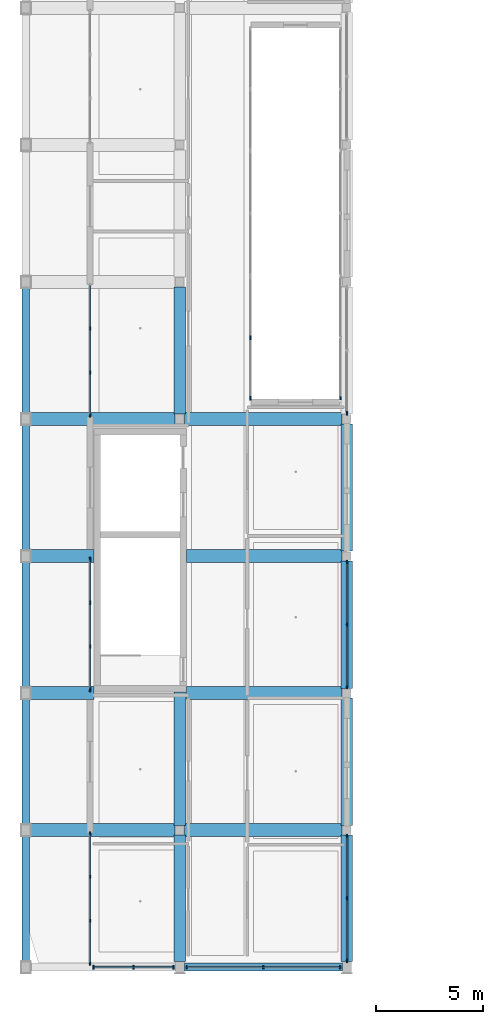
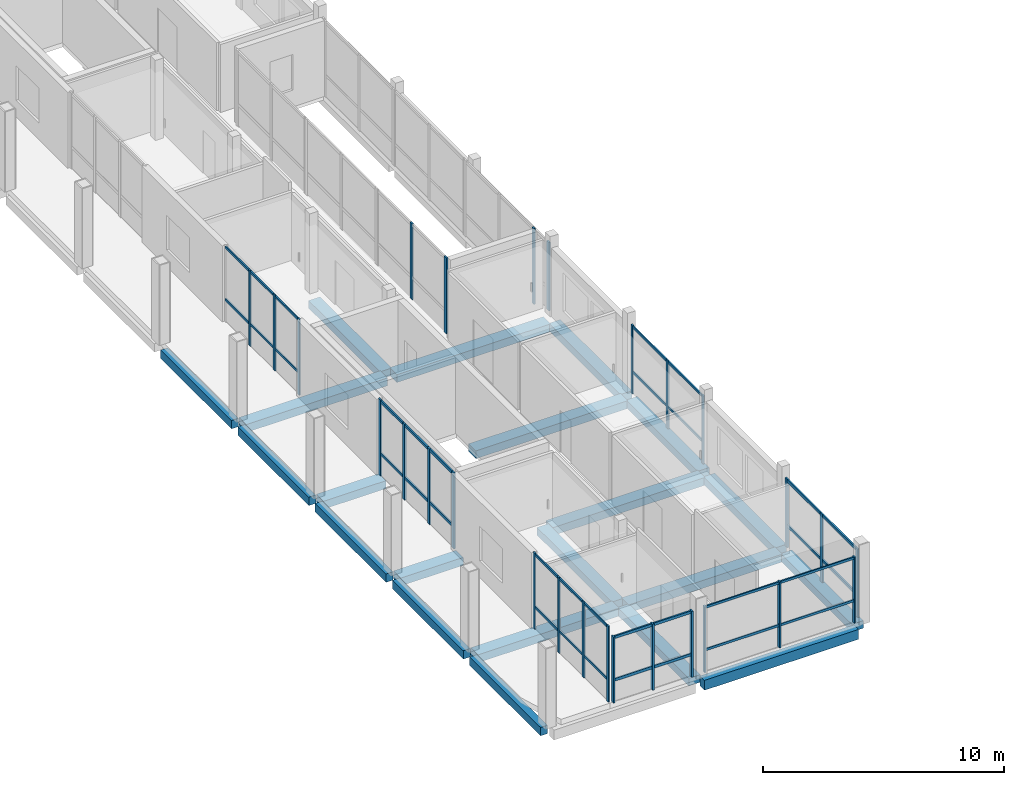
# One storey, part 2 of 24: 41 members, 21 beams, 10 elements without a shape of their own.
"""IFC4 building model written with IfcOpenShell, lengths in metres."""

from ifc_helpers import new_model, si_unit, derived_unit, direction, frame, origin, origin_2d, place, context, subcontext, project, spatial, rectangle, extrude, material, material_profile, profile_set, type_object, element, aggregate, save


model = new_model("IFC4")

# Units and contexts
model_context = context("Model", 3, precision=1e-05, world=origin(), true_north=direction((0.0, 1.0)))
body_context = subcontext(model_context, "Body", "Model", "MODEL_VIEW")
ifc_project = project(units=[si_unit("LENGTHUNIT", "METRE"), si_unit("AREAUNIT", "SQUARE_METRE"), si_unit("VOLUMEUNIT", "CUBIC_METRE"), si_unit("PLANEANGLEUNIT", "RADIAN"), si_unit("MASSUNIT", "GRAM", prefix="KILO"), derived_unit("THERMALTRANSMITTANCEUNIT", [(si_unit("POWERUNIT", "WATT"), 1), (si_unit("LENGTHUNIT", "METRE"), -2), (si_unit("THERMODYNAMICTEMPERATUREUNIT", "KELVIN"), -1)])], contexts=[model_context])

# Site, building, storey
site_placement = place(None, origin())
site = spatial("IfcSite", under=ifc_project, at=site_placement, CompositionType="ELEMENT")
building_placement = place(site_placement, origin())
building = spatial("IfcBuilding", under=site, at=building_placement, Name="Braskholm Square Health Centre", CompositionType="ELEMENT")
storey_placement = place(building_placement, frame((0.0, 0.0, 21.60009765625)))
storey = spatial("IfcBuildingStorey", under=building, at=storey_placement, Name="L06", CompositionType="ELEMENT", Elevation=21.60009765625)

# Curtain wall, members
ifc_material_1 = material(Name="Low-E triple insulating glass (VLT 0.64)", Category="glass")
curtain_wall_type_1 = type_object("IfcCurtainWallType", Name="UnitisedCurtainWall6200x3800", PredefinedType="NOTDEFINED", material=ifc_material_1)
curtain_wall_1_placement = place(storey_placement, origin())
curtain_wall_1 = element("IfcCurtainWall", 1, at=curtain_wall_1_placement, inside=storey, type_object=curtain_wall_type_1, Name="West Crown unitised curtain wall CW-L06-0038", PredefinedType="NOTDEFINED")
ifc_material_2 = material(Name="Architectural bronze anodised aluminium", Category="aluminium")
ifc_material_profile_1 = material_profile(ifc_material_2, rectangle(XDim=0.06494140625, YDim=0.14990234375, at=origin_2d()), Name="ALU-65X150")
ifc_profile_set_1 = profile_set([ifc_material_profile_1], Name="Architectural bronze anodised aluminium")
member_type_1 = type_object("IfcMemberType", Name="CurtainWallMullion65x150", PredefinedType="MULLION", material=ifc_profile_set_1)
member_1_placement = place(storey_placement, frame((7.199951171875, 10.443115234375, 0.0), z_axis=(0.0, 0.0, 1.0), x_axis=(1.0, 0.0, 0.0)))
member_1 = element("IfcMember", 2, at=member_1_placement, type_object=member_type_1, Name="CW-L06-0038 vertical mullion 1", PredefinedType="MULLION", context=body_context, shape_type="SweptSolid", body=[
    extrude(rectangle(XDim=0.06494140625, YDim=0.14990234375, at=origin_2d()), origin(), (0.0, 0.0, 1.0), 3.83984375),
])
member_2_placement = place(storey_placement, frame((7.199951171875, 8.4267578125, 0.0), z_axis=(0.0, 0.0, 1.0), x_axis=(1.0, 0.0, 0.0)))
member_2 = element("IfcMember", 3, at=member_2_placement, type_object=member_type_1, Name="CW-L06-0038 vertical mullion 2", PredefinedType="MULLION", context=body_context, shape_type="SweptSolid", body=[
    extrude(rectangle(XDim=0.06494140625, YDim=0.14990234375, at=origin_2d()), origin(), (0.0, 0.0, 1.0), 3.83984375),
])
member_3_placement = place(storey_placement, frame((7.199951171875, 6.373291015625, 0.0), z_axis=(0.0, 0.0, 1.0), x_axis=(1.0, 0.0, 0.0)))
member_3 = element("IfcMember", 4, at=member_3_placement, type_object=member_type_1, Name="CW-L06-0038 vertical mullion 3", PredefinedType="MULLION", context=body_context, shape_type="SweptSolid", body=[
    extrude(rectangle(XDim=0.06494140625, YDim=0.14990234375, at=origin_2d()), origin(), (0.0, 0.0, 1.0), 3.83984375),
])
member_4_placement = place(storey_placement, frame((7.199951171875, 4.35693359375, 0.0), z_axis=(0.0, 0.0, 1.0), x_axis=(1.0, 0.0, 0.0)))
member_4 = element("IfcMember", 5, at=member_4_placement, type_object=member_type_1, Name="CW-L06-0038 vertical mullion 4", PredefinedType="MULLION", context=body_context, shape_type="SweptSolid", body=[
    extrude(rectangle(XDim=0.06494140625, YDim=0.14990234375, at=origin_2d()), origin(), (0.0, 0.0, 1.0), 3.83984375),
])

curtain_wall_2_placement = place(storey_placement, origin())
curtain_wall_2 = element("IfcCurtainWall", 6, at=curtain_wall_2_placement, inside=storey, type_object=curtain_wall_type_1, Name="West Crown unitised curtain wall CW-L06-0040", PredefinedType="NOTDEFINED")
member_5_placement = place(storey_placement, frame((7.199951171875, 34.026611328125, 0.0), z_axis=(0.0, 0.0, 1.0), x_axis=(1.0, 0.0, 0.0)))
member_5 = element("IfcMember", 7, at=member_5_placement, type_object=member_type_1, Name="CW-L06-0040 vertical mullion 2", PredefinedType="MULLION", context=body_context, shape_type="SweptSolid", body=[
    extrude(rectangle(XDim=0.06494140625, YDim=0.14990234375, at=origin_2d()), origin(), (0.0, 0.0, 1.0), 3.83984375),
])
member_6_placement = place(storey_placement, frame((7.199951171875, 31.973388671875, 0.0), z_axis=(0.0, 0.0, 1.0), x_axis=(1.0, 0.0, 0.0)))
member_6 = element("IfcMember", 8, at=member_6_placement, type_object=member_type_1, Name="CW-L06-0040 vertical mullion 3", PredefinedType="MULLION", context=body_context, shape_type="SweptSolid", body=[
    extrude(rectangle(XDim=0.06494140625, YDim=0.14990234375, at=origin_2d()), origin(), (0.0, 0.0, 1.0), 3.83984375),
])
member_7_placement = place(storey_placement, frame((7.199951171875, 29.95703125, 0.0), z_axis=(0.0, 0.0, 1.0), x_axis=(1.0, 0.0, 0.0)))
member_7 = element("IfcMember", 9, at=member_7_placement, type_object=member_type_1, Name="CW-L06-0040 vertical mullion 4", PredefinedType="MULLION", context=body_context, shape_type="SweptSolid", body=[
    extrude(rectangle(XDim=0.06494140625, YDim=0.14990234375, at=origin_2d()), origin(), (0.0, 0.0, 1.0), 3.83984375),
])

curtain_wall_type_2 = type_object("IfcCurtainWallType", Name="UnitisedCurtainWall6200x3650", PredefinedType="NOTDEFINED", material=ifc_material_1)
curtain_wall_3_placement = place(storey_placement, origin())
curtain_wall_3 = element("IfcCurtainWall", 10, at=curtain_wall_3_placement, inside=storey, type_object=curtain_wall_type_2, Name="West Valley unitised curtain wall CW-L06-0110", PredefinedType="NOTDEFINED")
member_8_placement = place(storey_placement, frame((19.199951171875, 17.275390625, 0.0), z_axis=(0.0, 0.0, 1.0), x_axis=(1.0, 0.0, 0.0)))
member_8 = element("IfcMember", 11, at=member_8_placement, type_object=member_type_1, Name="CW-L06-0110 vertical mullion 1", PredefinedType="MULLION", context=body_context, shape_type="SweptSolid", body=[
    extrude(rectangle(XDim=0.06494140625, YDim=0.14990234375, at=origin_2d()), origin(), (0.0, 0.0, 1.0), 3.4599609375),
])
member_9_placement = place(storey_placement, frame((19.199951171875, 20.199951171875, 0.0), z_axis=(0.0, 0.0, 1.0), x_axis=(1.0, 0.0, 0.0)))
member_9 = element("IfcMember", 12, at=member_9_placement, type_object=member_type_1, Name="CW-L06-0110 vertical mullion 2", PredefinedType="MULLION", context=body_context, shape_type="SweptSolid", body=[
    extrude(rectangle(XDim=0.06494140625, YDim=0.14990234375, at=origin_2d()), origin(), (0.0, 0.0, 1.0), 3.4599609375),
])
member_10_placement = place(storey_placement, frame((19.199951171875, 23.12451171875, 0.0), z_axis=(0.0, 0.0, 1.0), x_axis=(1.0, 0.0, 0.0)))
member_10 = element("IfcMember", 13, at=member_10_placement, type_object=member_type_1, Name="CW-L06-0110 vertical mullion 3", PredefinedType="MULLION", context=body_context, shape_type="SweptSolid", body=[
    extrude(rectangle(XDim=0.06494140625, YDim=0.14990234375, at=origin_2d()), origin(), (0.0, 0.0, 1.0), 3.4599609375),
])

curtain_wall_4_placement = place(storey_placement, origin())
curtain_wall_4 = element("IfcCurtainWall", 14, at=curtain_wall_4_placement, inside=storey, type_object=curtain_wall_type_2, Name="Wing End unitised curtain wall CW-L06-0152", PredefinedType="NOTDEFINED")
member_11_placement = place(storey_placement, frame((11.723388671875, 4.199951171875, 0.0), z_axis=(0.0, 0.0, 1.0), x_axis=(1.0, 0.0, 0.0)))
member_11 = element("IfcMember", 15, at=member_11_placement, type_object=member_type_1, Name="CW-L06-0152 vertical mullion 1", PredefinedType="MULLION", context=body_context, shape_type="SweptSolid", body=[
    extrude(rectangle(XDim=0.06494140625, YDim=0.14990234375, at=origin_2d()), origin(), (0.0, 0.0, 1.0), 3.33984375),
])
member_12_placement = place(storey_placement, frame((15.300048828125, 4.199951171875, 0.0), z_axis=(0.0, 0.0, 1.0), x_axis=(1.0, 0.0, 0.0)))
member_12 = element("IfcMember", 16, at=member_12_placement, type_object=member_type_1, Name="CW-L06-0152 vertical mullion 2", PredefinedType="MULLION", context=body_context, shape_type="SweptSolid", body=[
    extrude(rectangle(XDim=0.06494140625, YDim=0.14990234375, at=origin_2d()), origin(), (0.0, 0.0, 1.0), 3.33984375),
])
member_13_placement = place(storey_placement, frame((18.876708984375, 4.199951171875, 0.0), z_axis=(0.0, 0.0, 1.0), x_axis=(1.0, 0.0, 0.0)))
member_13 = element("IfcMember", 17, at=member_13_placement, type_object=member_type_1, Name="CW-L06-0152 vertical mullion 3", PredefinedType="MULLION", context=body_context, shape_type="SweptSolid", body=[
    extrude(rectangle(XDim=0.06494140625, YDim=0.14990234375, at=origin_2d()), origin(), (0.0, 0.0, 1.0), 3.33984375),
])

# Curtain wall, member
curtain_wall_type_3 = type_object("IfcCurtainWallType", Name="UnitisedCurtainWall5400x3800", PredefinedType="NOTDEFINED", material=ifc_material_1)
curtain_wall_5_placement = place(storey_placement, origin())
curtain_wall_5 = element("IfcCurtainWall", 18, at=curtain_wall_5_placement, inside=storey, type_object=curtain_wall_type_3, Name="WC1 Court E unitised curtain wall CW-L06-0280", PredefinedType="NOTDEFINED")
member_14_placement = place(storey_placement, frame((18.89990234375, 30.7744140625, 0.0), z_axis=(0.0, 0.0, 1.0), x_axis=(1.0, 0.0, 0.0)))
member_14 = element("IfcMember", 19, at=member_14_placement, type_object=member_type_1, Name="CW-L06-0280 vertical mullion 3", PredefinedType="MULLION", context=body_context, shape_type="SweptSolid", body=[
    extrude(rectangle(XDim=0.06494140625, YDim=0.14990234375, at=origin_2d()), origin(), (0.0, 0.0, 1.0), 3.83984375),
])
aggregate(curtain_wall_5, [member_14])

# Curtain wall, members
curtain_wall_6_placement = place(storey_placement, origin())
curtain_wall_6 = element("IfcCurtainWall", 20, at=curtain_wall_6_placement, inside=storey, type_object=curtain_wall_type_1, Name="West Crown unitised curtain wall CW-L06-0039", PredefinedType="NOTDEFINED")
ifc_material_profile_2 = material_profile(ifc_material_2, rectangle(XDim=0.074951171875, YDim=0.179931640625, at=origin_2d()), Name="ALU-75X180")
ifc_profile_set_2 = profile_set([ifc_material_profile_2], Name="Architectural bronze anodised aluminium")
member_type_2 = type_object("IfcMemberType", Name="CurtainWallMullion75x180", PredefinedType="MULLION", material=ifc_profile_set_2)
member_15_placement = place(storey_placement, frame((7.199951171875, 23.242919921875, 0.0), z_axis=(0.0, 0.0, 1.0), x_axis=(1.0, 0.0, 0.0)))
member_15 = element("IfcMember", 21, at=member_15_placement, type_object=member_type_2, Name="CW-L06-0039 vertical mullion 1", PredefinedType="MULLION", context=body_context, shape_type="SweptSolid", body=[
    extrude(rectangle(XDim=0.074951171875, YDim=0.179931640625, at=origin_2d()), origin(), (0.0, 0.0, 1.0), 3.83984375),
])
member_16_placement = place(storey_placement, frame((7.199951171875, 21.226806640625, 0.0), z_axis=(0.0, 0.0, 1.0), x_axis=(1.0, 0.0, 0.0)))
member_16 = element("IfcMember", 22, at=member_16_placement, type_object=member_type_2, Name="CW-L06-0039 vertical mullion 2", PredefinedType="MULLION", context=body_context, shape_type="SweptSolid", body=[
    extrude(rectangle(XDim=0.074951171875, YDim=0.179931640625, at=origin_2d()), origin(), (0.0, 0.0, 1.0), 3.83984375),
])
member_17_placement = place(storey_placement, frame((7.199951171875, 19.17333984375, 0.0), z_axis=(0.0, 0.0, 1.0), x_axis=(1.0, 0.0, 0.0)))
member_17 = element("IfcMember", 23, at=member_17_placement, type_object=member_type_2, Name="CW-L06-0039 vertical mullion 3", PredefinedType="MULLION", context=body_context, shape_type="SweptSolid", body=[
    extrude(rectangle(XDim=0.074951171875, YDim=0.179931640625, at=origin_2d()), origin(), (0.0, 0.0, 1.0), 3.83984375),
])
member_18_placement = place(storey_placement, frame((7.199951171875, 17.156982421875, 0.0), z_axis=(0.0, 0.0, 1.0), x_axis=(1.0, 0.0, 0.0)))
member_18 = element("IfcMember", 24, at=member_18_placement, type_object=member_type_2, Name="CW-L06-0039 vertical mullion 4", PredefinedType="MULLION", context=body_context, shape_type="SweptSolid", body=[
    extrude(rectangle(XDim=0.074951171875, YDim=0.179931640625, at=origin_2d()), origin(), (0.0, 0.0, 1.0), 3.83984375),
])

curtain_wall_7_placement = place(storey_placement, origin())
curtain_wall_7 = element("IfcCurtainWall", 25, at=curtain_wall_7_placement, inside=storey, type_object=curtain_wall_type_2, Name="West Valley unitised curtain wall CW-L06-0109", PredefinedType="NOTDEFINED")
member_19_placement = place(storey_placement, frame((19.199951171875, 4.50537109375, 0.0), z_axis=(0.0, 0.0, 1.0), x_axis=(1.0, 0.0, 0.0)))
member_19 = element("IfcMember", 26, at=member_19_placement, type_object=member_type_2, Name="CW-L06-0109 vertical mullion 1", PredefinedType="MULLION", context=body_context, shape_type="SweptSolid", body=[
    extrude(rectangle(XDim=0.074951171875, YDim=0.179931640625, at=origin_2d()), origin(), (0.0, 0.0, 1.0), 3.4599609375),
])
member_20_placement = place(storey_placement, frame((19.199951171875, 7.4150390625, 0.0), z_axis=(0.0, 0.0, 1.0), x_axis=(1.0, 0.0, 0.0)))
member_20 = element("IfcMember", 27, at=member_20_placement, type_object=member_type_2, Name="CW-L06-0109 vertical mullion 2", PredefinedType="MULLION", context=body_context, shape_type="SweptSolid", body=[
    extrude(rectangle(XDim=0.074951171875, YDim=0.179931640625, at=origin_2d()), origin(), (0.0, 0.0, 1.0), 3.4599609375),
])
member_21_placement = place(storey_placement, frame((19.199951171875, 10.32470703125, 0.0), z_axis=(0.0, 0.0, 1.0), x_axis=(1.0, 0.0, 0.0)))
member_21 = element("IfcMember", 28, at=member_21_placement, type_object=member_type_2, Name="CW-L06-0109 vertical mullion 3", PredefinedType="MULLION", context=body_context, shape_type="SweptSolid", body=[
    extrude(rectangle(XDim=0.074951171875, YDim=0.179931640625, at=origin_2d()), origin(), (0.0, 0.0, 1.0), 3.4599609375),
])

# Curtain wall, member
curtain_wall_8_placement = place(storey_placement, origin())
curtain_wall_8 = element("IfcCurtainWall", 29, at=curtain_wall_8_placement, inside=storey, type_object=curtain_wall_type_2, Name="West Valley unitised curtain wall CW-L06-0111", PredefinedType="NOTDEFINED")
member_22_placement = place(storey_placement, frame((19.199951171875, 30.075439453125, 0.0), z_axis=(0.0, 0.0, 1.0), x_axis=(1.0, 0.0, 0.0)))
member_22 = element("IfcMember", 30, at=member_22_placement, type_object=member_type_2, Name="CW-L06-0111 vertical mullion 1", PredefinedType="MULLION", context=body_context, shape_type="SweptSolid", body=[
    extrude(rectangle(XDim=0.074951171875, YDim=0.179931640625, at=origin_2d()), origin(), (0.0, 0.0, 1.0), 3.4599609375),
])
aggregate(curtain_wall_8, [member_22])

# Curtain wall, members
curtain_wall_type_4 = type_object("IfcCurtainWallType", Name="UnitisedCurtainWall3600x3650", PredefinedType="NOTDEFINED", material=ifc_material_1)
curtain_wall_9_placement = place(storey_placement, origin())
curtain_wall_9 = element("IfcCurtainWall", 31, at=curtain_wall_9_placement, inside=storey, type_object=curtain_wall_type_4, Name="Wing End unitised curtain wall CW-L06-0151", PredefinedType="NOTDEFINED")
member_23_placement = place(storey_placement, frame((7.36279296875, 4.199951171875, 0.0), z_axis=(0.0, 0.0, 1.0), x_axis=(1.0, 0.0, 0.0)))
member_23 = element("IfcMember", 32, at=member_23_placement, type_object=member_type_2, Name="CW-L06-0151 vertical mullion 1", PredefinedType="MULLION", context=body_context, shape_type="SweptSolid", body=[
    extrude(rectangle(XDim=0.074951171875, YDim=0.179931640625, at=origin_2d()), origin(), (0.0, 0.0, 1.0), 3.33984375),
])
member_24_placement = place(storey_placement, frame((9.22998046875, 4.199951171875, 0.0), z_axis=(0.0, 0.0, 1.0), x_axis=(1.0, 0.0, 0.0)))
member_24 = element("IfcMember", 33, at=member_24_placement, type_object=member_type_2, Name="CW-L06-0151 vertical mullion 2", PredefinedType="MULLION", context=body_context, shape_type="SweptSolid", body=[
    extrude(rectangle(XDim=0.074951171875, YDim=0.179931640625, at=origin_2d()), origin(), (0.0, 0.0, 1.0), 3.33984375),
])
member_25_placement = place(storey_placement, frame((11.097412109375, 4.199951171875, 0.0), z_axis=(0.0, 0.0, 1.0), x_axis=(1.0, 0.0, 0.0)))
member_25 = element("IfcMember", 34, at=member_25_placement, type_object=member_type_2, Name="CW-L06-0151 vertical mullion 3", PredefinedType="MULLION", context=body_context, shape_type="SweptSolid", body=[
    extrude(rectangle(XDim=0.074951171875, YDim=0.179931640625, at=origin_2d()), origin(), (0.0, 0.0, 1.0), 3.33984375),
])

curtain_wall_10_placement = place(storey_placement, origin())
curtain_wall_10 = element("IfcCurtainWall", 35, at=curtain_wall_10_placement, inside=storey, type_object=curtain_wall_type_3, Name="WC1 Court W unitised curtain wall CW-L06-0279", PredefinedType="NOTDEFINED")
member_26_placement = place(storey_placement, frame((14.699951171875, 30.7744140625, 0.0), z_axis=(0.0, 0.0, 1.0), x_axis=(1.0, 0.0, 0.0)))
member_26 = element("IfcMember", 36, at=member_26_placement, type_object=member_type_2, Name="CW-L06-0279 vertical mullion 1", PredefinedType="MULLION", context=body_context, shape_type="SweptSolid", body=[
    extrude(rectangle(XDim=0.074951171875, YDim=0.179931640625, at=origin_2d()), origin(), (0.0, 0.0, 1.0), 3.83984375),
])
member_27_placement = place(storey_placement, frame((14.699951171875, 33.60107421875, 0.0), z_axis=(0.0, 0.0, 1.0), x_axis=(1.0, 0.0, 0.0)))
member_27 = element("IfcMember", 37, at=member_27_placement, type_object=member_type_2, Name="CW-L06-0279 vertical mullion 2", PredefinedType="MULLION", context=body_context, shape_type="SweptSolid", body=[
    extrude(rectangle(XDim=0.074951171875, YDim=0.179931640625, at=origin_2d()), origin(), (0.0, 0.0, 1.0), 3.83984375),
])
aggregate(curtain_wall_10, [member_26, member_27])

# Member
ifc_material_profile_3 = material_profile(ifc_material_2, rectangle(XDim=0.06494140625, YDim=0.1201171875, at=origin_2d()), Name="ALU-65X120")
ifc_profile_set_3 = profile_set([ifc_material_profile_3], Name="Architectural bronze anodised aluminium")
member_type_3 = type_object("IfcMemberType", Name="CurtainWallTransom65x120", PredefinedType="USERDEFINED", material=ifc_profile_set_3)
member_28_placement = place(storey_placement, frame((7.199951171875, 10.43505859375, 1.119873046875), z_axis=(0.0, -1.0, 0.0), x_axis=(1.0, 0.0, 0.0)))
member_28 = element("IfcMember", 38, at=member_28_placement, type_object=member_type_3, Name="CW-L06-0038 horizontal transom 1", ObjectType="TRANSOM", PredefinedType="USERDEFINED", context=body_context, shape_type="SweptSolid", body=[
    extrude(rectangle(XDim=0.06494140625, YDim=0.1201171875, at=origin_2d()), origin(), (0.0, 0.0, 1.0), 6.070068359375),
])

member_29_placement = place(storey_placement, frame((7.199951171875, 10.43505859375, 3.77001953125), z_axis=(0.0, -1.0, 0.0), x_axis=(1.0, 0.0, 0.0)))
member_29 = element("IfcMember", 39, at=member_29_placement, type_object=member_type_3, Name="CW-L06-0038 horizontal transom 2", ObjectType="TRANSOM", PredefinedType="USERDEFINED", context=body_context, shape_type="SweptSolid", body=[
    extrude(rectangle(XDim=0.06494140625, YDim=0.1201171875, at=origin_2d()), origin(), (0.0, 0.0, 1.0), 6.070068359375),
])

aggregate(curtain_wall_1, [member_1, member_2, member_3, member_4, member_28, member_29])

member_30_placement = place(storey_placement, frame((7.199951171875, 36.034912109375, 1.119873046875), z_axis=(0.0, -1.0, 0.0), x_axis=(1.0, 0.0, 0.0)))
member_30 = element("IfcMember", 40, at=member_30_placement, type_object=member_type_3, Name="CW-L06-0040 horizontal transom 1", ObjectType="TRANSOM", PredefinedType="USERDEFINED", context=body_context, shape_type="SweptSolid", body=[
    extrude(rectangle(XDim=0.06494140625, YDim=0.1201171875, at=origin_2d()), origin(), (0.0, 0.0, 1.0), 6.06982421875),
])

member_31_placement = place(storey_placement, frame((7.199951171875, 36.034912109375, 3.77001953125), z_axis=(0.0, -1.0, 0.0), x_axis=(1.0, 0.0, 0.0)))
member_31 = element("IfcMember", 41, at=member_31_placement, type_object=member_type_3, Name="CW-L06-0040 horizontal transom 2", ObjectType="TRANSOM", PredefinedType="USERDEFINED", context=body_context, shape_type="SweptSolid", body=[
    extrude(rectangle(XDim=0.06494140625, YDim=0.1201171875, at=origin_2d()), origin(), (0.0, 0.0, 1.0), 6.06982421875),
])

aggregate(curtain_wall_2, [member_5, member_6, member_7, member_30, member_31])

member_32_placement = place(storey_placement, frame((19.199951171875, 17.284912109375, 1.119873046875), z_axis=(0.0, 1.0, 0.0), x_axis=(-1.0, 0.0, 0.0)))
member_32 = element("IfcMember", 42, at=member_32_placement, type_object=member_type_3, Name="CW-L06-0110 horizontal transom 1", ObjectType="TRANSOM", PredefinedType="USERDEFINED", context=body_context, shape_type="SweptSolid", body=[
    extrude(rectangle(XDim=0.06494140625, YDim=0.1201171875, at=origin_2d()), origin(), (0.0, 0.0, 1.0), 5.830078125),
])

member_33_placement = place(storey_placement, frame((19.199951171875, 17.284912109375, 3.389892578125), z_axis=(0.0, 1.0, 0.0), x_axis=(-1.0, 0.0, 0.0)))
member_33 = element("IfcMember", 43, at=member_33_placement, type_object=member_type_3, Name="CW-L06-0110 horizontal transom 2", ObjectType="TRANSOM", PredefinedType="USERDEFINED", context=body_context, shape_type="SweptSolid", body=[
    extrude(rectangle(XDim=0.06494140625, YDim=0.1201171875, at=origin_2d()), origin(), (0.0, 0.0, 1.0), 5.830078125),
])

aggregate(curtain_wall_3, [member_8, member_9, member_10, member_32, member_33])

member_34_placement = place(storey_placement, frame((11.72509765625, 4.199951171875, 1.119873046875), z_axis=(1.0, 0.0, 0.0), x_axis=(0.0, 1.0, 0.0)))
member_34 = element("IfcMember", 44, at=member_34_placement, type_object=member_type_3, Name="CW-L06-0152 horizontal transom 1", ObjectType="TRANSOM", PredefinedType="USERDEFINED", context=body_context, shape_type="SweptSolid", body=[
    extrude(rectangle(XDim=0.06494140625, YDim=0.1201171875, at=origin_2d()), origin(), (0.0, 0.0, 1.0), 7.14990234375),
])

member_35_placement = place(storey_placement, frame((11.72509765625, 4.199951171875, 3.27001953125), z_axis=(1.0, 0.0, 0.0), x_axis=(0.0, 1.0, 0.0)))
member_35 = element("IfcMember", 45, at=member_35_placement, type_object=member_type_3, Name="CW-L06-0152 horizontal transom 2", ObjectType="TRANSOM", PredefinedType="USERDEFINED", context=body_context, shape_type="SweptSolid", body=[
    extrude(rectangle(XDim=0.06494140625, YDim=0.1201171875, at=origin_2d()), origin(), (0.0, 0.0, 1.0), 7.14990234375),
])

aggregate(curtain_wall_4, [member_11, member_12, member_13, member_34, member_35])

ifc_material_profile_4 = material_profile(ifc_material_2, rectangle(XDim=0.074951171875, YDim=0.139892578125, at=origin_2d()), Name="ALU-75X140")
ifc_profile_set_4 = profile_set([ifc_material_profile_4], Name="Architectural bronze anodised aluminium")
member_type_4 = type_object("IfcMemberType", Name="CurtainWallTransom75x140", PredefinedType="USERDEFINED", material=ifc_profile_set_4)
member_36_placement = place(storey_placement, frame((7.199951171875, 23.235107421875, 1.119873046875), z_axis=(0.0, -1.0, 0.0), x_axis=(1.0, 0.0, 0.0)))
member_36 = element("IfcMember", 46, at=member_36_placement, type_object=member_type_4, Name="CW-L06-0039 horizontal transom 1", ObjectType="TRANSOM", PredefinedType="USERDEFINED", context=body_context, shape_type="SweptSolid", body=[
    extrude(rectangle(XDim=0.074951171875, YDim=0.139892578125, at=origin_2d()), origin(), (0.0, 0.0, 1.0), 6.070068359375),
])

member_37_placement = place(storey_placement, frame((7.199951171875, 23.235107421875, 3.77001953125), z_axis=(0.0, -1.0, 0.0), x_axis=(1.0, 0.0, 0.0)))
member_37 = element("IfcMember", 47, at=member_37_placement, type_object=member_type_4, Name="CW-L06-0039 horizontal transom 2", ObjectType="TRANSOM", PredefinedType="USERDEFINED", context=body_context, shape_type="SweptSolid", body=[
    extrude(rectangle(XDim=0.074951171875, YDim=0.139892578125, at=origin_2d()), origin(), (0.0, 0.0, 1.0), 6.070068359375),
])

aggregate(curtain_wall_6, [member_15, member_16, member_17, member_18, member_36, member_37])

member_38_placement = place(storey_placement, frame((19.199951171875, 4.514892578125, 1.119873046875), z_axis=(0.0, 1.0, 0.0), x_axis=(-1.0, 0.0, 0.0)))
member_38 = element("IfcMember", 48, at=member_38_placement, type_object=member_type_4, Name="CW-L06-0109 horizontal transom 1", ObjectType="TRANSOM", PredefinedType="USERDEFINED", context=body_context, shape_type="SweptSolid", body=[
    extrude(rectangle(XDim=0.074951171875, YDim=0.139892578125, at=origin_2d()), origin(), (0.0, 0.0, 1.0), 5.800048828125),
])

member_39_placement = place(storey_placement, frame((19.199951171875, 4.514892578125, 3.389892578125), z_axis=(0.0, 1.0, 0.0), x_axis=(-1.0, 0.0, 0.0)))
member_39 = element("IfcMember", 49, at=member_39_placement, type_object=member_type_4, Name="CW-L06-0109 horizontal transom 2", ObjectType="TRANSOM", PredefinedType="USERDEFINED", context=body_context, shape_type="SweptSolid", body=[
    extrude(rectangle(XDim=0.074951171875, YDim=0.139892578125, at=origin_2d()), origin(), (0.0, 0.0, 1.0), 5.800048828125),
])

aggregate(curtain_wall_7, [member_19, member_20, member_21, member_38, member_39])

member_40_placement = place(storey_placement, frame((7.385009765625, 4.199951171875, 1.119873046875), z_axis=(1.0, 0.0, 0.0), x_axis=(0.0, 1.0, 0.0)))
member_40 = element("IfcMember", 50, at=member_40_placement, type_object=member_type_4, Name="CW-L06-0151 horizontal transom 1", ObjectType="TRANSOM", PredefinedType="USERDEFINED", context=body_context, shape_type="SweptSolid", body=[
    extrude(rectangle(XDim=0.074951171875, YDim=0.139892578125, at=origin_2d()), origin(), (0.0, 0.0, 1.0), 3.68994140625),
])

member_41_placement = place(storey_placement, frame((7.385009765625, 4.199951171875, 3.27001953125), z_axis=(1.0, 0.0, 0.0), x_axis=(0.0, 1.0, 0.0)))
member_41 = element("IfcMember", 51, at=member_41_placement, type_object=member_type_4, Name="CW-L06-0151 horizontal transom 2", ObjectType="TRANSOM", PredefinedType="USERDEFINED", context=body_context, shape_type="SweptSolid", body=[
    extrude(rectangle(XDim=0.074951171875, YDim=0.139892578125, at=origin_2d()), origin(), (0.0, 0.0, 1.0), 3.68994140625),
])

aggregate(curtain_wall_9, [member_23, member_24, member_25, member_40, member_41])

# Beams
ifc_material_3 = material(Name="Concrete C35/45 (f'c = 35 MPa)", Category="concrete")
ifc_material_profile_5 = material_profile(ifc_material_3, rectangle(XDim=0.550048828125, YDim=0.3798828125, at=origin_2d()), Name="RCB-550X380")
ifc_profile_set_5 = profile_set([ifc_material_profile_5], Name="Concrete C35/45 (f'c = 35 MPa)")
beam_type_1 = type_object("IfcBeamType", Name="PrimaryBandBeam550x380", PredefinedType="BEAM", material=ifc_profile_set_5)
beam_1_placement = place(storey_placement, frame((11.39990234375, 4.4599609375, -0.47021484375), z_axis=(0.0, 1.0, 0.0), x_axis=(-1.0, 0.0, 0.0)))
element("IfcBeam", 52, at=beam_1_placement, inside=storey, type_object=beam_type_1, Name="Beam 2/A-B L06", PredefinedType="BEAM", context=body_context, shape_type="SweptSolid", body=[
    extrude(rectangle(XDim=0.550048828125, YDim=0.3798828125, at=origin_2d()), origin(), (0.0, 0.0, 1.0), 5.9150390625),
])
beam_2_placement = place(storey_placement, frame((11.39990234375, 10.824951171875, -0.47021484375), z_axis=(0.0, 1.0, 0.0), x_axis=(-1.0, 0.0, 0.0)))
element("IfcBeam", 53, at=beam_2_placement, inside=storey, type_object=beam_type_1, Name="Beam 2/B-E L06", PredefinedType="BEAM", context=body_context, shape_type="SweptSolid", body=[
    extrude(rectangle(XDim=0.550048828125, YDim=0.3798828125, at=origin_2d()), origin(), (0.0, 0.0, 1.0), 6.22509765625),
])
beam_3_placement = place(storey_placement, frame((11.39990234375, 30.02490234375, -0.47021484375), z_axis=(0.0, 1.0, 0.0), x_axis=(-1.0, 0.0, 0.0)))
element("IfcBeam", 54, at=beam_3_placement, inside=storey, type_object=beam_type_1, Name="Beam 2/E-F L06", PredefinedType="BEAM", context=body_context, shape_type="SweptSolid", body=[
    extrude(rectangle(XDim=0.550048828125, YDim=0.3798828125, at=origin_2d()), origin(), (0.0, 0.0, 1.0), 5.9501953125),
])
beam_4_placement = place(storey_placement, frame((19.199951171875, 4.4599609375, -0.47021484375), z_axis=(0.0, 1.0, 0.0), x_axis=(-1.0, 0.0, 0.0)))
element("IfcBeam", 55, at=beam_4_placement, inside=storey, type_object=beam_type_1, Name="Beam 3/A-B L06", PredefinedType="BEAM", context=body_context, shape_type="SweptSolid", body=[
    extrude(rectangle(XDim=0.550048828125, YDim=0.3798828125, at=origin_2d()), origin(), (0.0, 0.0, 1.0), 5.9150390625),
])
for number, where, z_axis, x_axis, name in (
    (56, (19.199951171875, 10.824951171875, -0.47021484375), (0.0, 1.0, 0.0), (-1.0, 0.0, 0.0), "Beam 3/B-C L06"),
    (57, (19.199951171875, 17.22509765625, -0.47021484375), (0.0, 1.0, 0.0), (-1.0, 0.0, 0.0), "Beam 3/C-D L06"),
    (58, (19.199951171875, 23.625, -0.47021484375), (0.0, 1.0, 0.0), (-1.0, 0.0, 0.0), "Beam 3/D-E L06"),
):
    element("IfcBeam", number, at=place(storey_placement, frame(where, z_axis=z_axis, x_axis=x_axis)), inside=storey, type_object=beam_type_1, Name=name, PredefinedType="BEAM", context=body_context, shape_type="SweptSolid", body=[
        extrude(rectangle(XDim=0.550048828125, YDim=0.3798828125, at=origin_2d()), origin(), (0.0, 0.0, 1.0), 5.949951171875),
    ])
ifc_material_profile_6 = material_profile(ifc_material_3, rectangle(XDim=0.60009765625, YDim=0.39990234375, at=origin_2d()), Name="RCB-600X400")
ifc_profile_set_6 = profile_set([ifc_material_profile_6], Name="Concrete C35/45 (f'c = 35 MPa)")
beam_type_2 = type_object("IfcBeamType", Name="PrimaryBandBeam600x400", PredefinedType="BEAM", material=ifc_profile_set_6)
beam_5_placement = place(storey_placement, frame((4.409912109375, 10.60009765625, -0.47998046875), z_axis=(1.0, 0.0, 0.0), x_axis=(0.0, 1.0, 0.0)))
element("IfcBeam", 59, at=beam_5_placement, inside=storey, type_object=beam_type_2, Name="Beam 1-2/B L06", PredefinedType="BEAM", context=body_context, shape_type="SweptSolid", body=[
    extrude(rectangle(XDim=0.60009765625, YDim=0.39990234375, at=origin_2d()), origin(), (0.0, 0.0, 1.0), 6.76513671875),
])
beam_6_placement = place(storey_placement, frame((11.625, 10.60009765625, -0.47998046875), z_axis=(1.0, 0.0, 0.0), x_axis=(0.0, 1.0, 0.0)))
element("IfcBeam", 60, at=beam_6_placement, inside=storey, type_object=beam_type_2, Name="Beam 2-3/B L06", PredefinedType="BEAM", context=body_context, shape_type="SweptSolid", body=[
    extrude(rectangle(XDim=0.60009765625, YDim=0.39990234375, at=origin_2d()), origin(), (0.0, 0.0, 1.0), 7.35009765625),
])
beam_7_placement = place(storey_placement, frame((4.409912109375, 17.0, -0.47998046875), z_axis=(1.0, 0.0, 0.0), x_axis=(0.0, 1.0, 0.0)))
element("IfcBeam", 61, at=beam_7_placement, inside=storey, type_object=beam_type_2, Name="Beam 1-3/C L06", PredefinedType="BEAM", context=body_context, shape_type="SweptSolid", body=[
    extrude(rectangle(XDim=0.60009765625, YDim=0.39990234375, at=origin_2d()), origin(), (0.0, 0.0, 1.0), 2.989990234375),
])
beam_8_placement = place(storey_placement, frame((11.699951171875, 17.0, -0.47998046875), z_axis=(1.0, 0.0, 0.0), x_axis=(0.0, 1.0, 0.0)))
element("IfcBeam", 62, at=beam_8_placement, inside=storey, type_object=beam_type_2, Name="Beam 1-3/C L06", PredefinedType="BEAM", context=body_context, shape_type="SweptSolid", body=[
    extrude(rectangle(XDim=0.60009765625, YDim=0.39990234375, at=origin_2d()), origin(), (0.0, 0.0, 1.0), 7.275146484375),
])
beam_9_placement = place(storey_placement, frame((4.409912109375, 23.39990234375, -0.47998046875), z_axis=(1.0, 0.0, 0.0), x_axis=(0.0, 1.0, 0.0)))
element("IfcBeam", 63, at=beam_9_placement, inside=storey, type_object=beam_type_2, Name="Beam 1-3/D L06", PredefinedType="BEAM", context=body_context, shape_type="SweptSolid", body=[
    extrude(rectangle(XDim=0.60009765625, YDim=0.39990234375, at=origin_2d()), origin(), (0.0, 0.0, 1.0), 2.989990234375),
])
beam_10_placement = place(storey_placement, frame((11.699951171875, 23.39990234375, -0.47998046875), z_axis=(1.0, 0.0, 0.0), x_axis=(0.0, 1.0, 0.0)))
element("IfcBeam", 64, at=beam_10_placement, inside=storey, type_object=beam_type_2, Name="Beam 1-3/D L06", PredefinedType="BEAM", context=body_context, shape_type="SweptSolid", body=[
    extrude(rectangle(XDim=0.60009765625, YDim=0.39990234375, at=origin_2d()), origin(), (0.0, 0.0, 1.0), 7.275146484375),
])
beam_11_placement = place(storey_placement, frame((4.409912109375, 29.800048828125, -0.47998046875), z_axis=(1.0, 0.0, 0.0), x_axis=(0.0, 1.0, 0.0)))
element("IfcBeam", 65, at=beam_11_placement, inside=storey, type_object=beam_type_2, Name="Beam 1-2/E L06", PredefinedType="BEAM", context=body_context, shape_type="SweptSolid", body=[
    extrude(rectangle(XDim=0.60009765625, YDim=0.39990234375, at=origin_2d()), origin(), (0.0, 0.0, 1.0), 6.76513671875),
])
beam_12_placement = place(storey_placement, frame((11.625, 29.800048828125, -0.47998046875), z_axis=(1.0, 0.0, 0.0), x_axis=(0.0, 1.0, 0.0)))
element("IfcBeam", 66, at=beam_12_placement, inside=storey, type_object=beam_type_2, Name="Beam 2-3/E L06", PredefinedType="BEAM", context=body_context, shape_type="SweptSolid", body=[
    extrude(rectangle(XDim=0.60009765625, YDim=0.39990234375, at=origin_2d()), origin(), (0.0, 0.0, 1.0), 7.35009765625),
])
ifc_material_4 = material(Name="Precast concrete C40/50 architectural white", Category="concrete")
ifc_material_profile_7 = material_profile(ifc_material_4, rectangle(XDim=0.340087890625, YDim=0.419921875, at=origin_2d()), Name="RCB-340X420")
ifc_profile_set_7 = profile_set([ifc_material_profile_7], Name="Precast concrete C40/50 architectural white")
beam_type_3 = type_object("IfcBeamType", Name="SpandrelCrownEdge340x420", PredefinedType="SPANDREL", material=ifc_profile_set_7)
beam_13_placement = place(storey_placement, frame((4.199951171875, 4.4599609375, -0.489990234375), z_axis=(0.0, 1.0, 0.0), x_axis=(-1.0, 0.0, 0.0)))
element("IfcBeam", 67, at=beam_13_placement, inside=storey, type_object=beam_type_3, Name="Beam 1/A-B L06", PredefinedType="SPANDREL", context=body_context, shape_type="SweptSolid", body=[
    extrude(rectangle(XDim=0.340087890625, YDim=0.419921875, at=origin_2d()), origin(), (0.0, 0.0, 1.0), 5.880126953125),
])
for number, where, z_axis, x_axis, name in (
    (68, (4.199951171875, 10.860107421875, -0.489990234375), (0.0, 1.0, 0.0), (-1.0, 0.0, 0.0), "Beam 1/B-C L06"),
    (69, (4.199951171875, 17.260009765625, -0.489990234375), (0.0, 1.0, 0.0), (-1.0, 0.0, 0.0), "Beam 1/C-D L06"),
):
    element("IfcBeam", number, at=place(storey_placement, frame(where, z_axis=z_axis, x_axis=x_axis)), inside=storey, type_object=beam_type_3, Name=name, PredefinedType="SPANDREL", context=body_context, shape_type="SweptSolid", body=[
        extrude(rectangle(XDim=0.340087890625, YDim=0.419921875, at=origin_2d()), origin(), (0.0, 0.0, 1.0), 5.8798828125),
    ])
beam_14_placement = place(storey_placement, frame((4.199951171875, 23.659912109375, -0.489990234375), z_axis=(0.0, 1.0, 0.0), x_axis=(-1.0, 0.0, 0.0)))
element("IfcBeam", 70, at=beam_14_placement, inside=storey, type_object=beam_type_3, Name="Beam 1/D-E L06", PredefinedType="SPANDREL", context=body_context, shape_type="SweptSolid", body=[
    extrude(rectangle(XDim=0.340087890625, YDim=0.419921875, at=origin_2d()), origin(), (0.0, 0.0, 1.0), 5.880126953125),
])
beam_15_placement = place(storey_placement, frame((4.199951171875, 30.06005859375, -0.489990234375), z_axis=(0.0, 1.0, 0.0), x_axis=(-1.0, 0.0, 0.0)))
element("IfcBeam", 71, at=beam_15_placement, inside=storey, type_object=beam_type_3, Name="Beam 1/E-F L06", PredefinedType="SPANDREL", context=body_context, shape_type="SweptSolid", body=[
    extrude(rectangle(XDim=0.340087890625, YDim=0.419921875, at=origin_2d()), origin(), (0.0, 0.0, 1.0), 5.8798828125),
])
ifc_material_profile_8 = material_profile(ifc_material_4, rectangle(XDim=0.3798828125, YDim=0.5, at=origin_2d()), Name="RCB-380X500")
ifc_profile_set_8 = profile_set([ifc_material_profile_8], Name="Precast concrete C40/50 architectural white")
beam_type_4 = type_object("IfcBeamType", Name="SpandrelPrecastEdge380x500", PredefinedType="SPANDREL", material=ifc_profile_set_8)
beam_16_placement = place(storey_placement, frame((11.610107421875, 4.199951171875, -0.530029296875), z_axis=(1.0, 0.0, 0.0), x_axis=(0.0, 1.0, 0.0)))
element("IfcBeam", 72, at=beam_16_placement, inside=storey, type_object=beam_type_4, Name="Beam 2-3/A L06", PredefinedType="SPANDREL", context=body_context, shape_type="SweptSolid", body=[
    extrude(rectangle(XDim=0.3798828125, YDim=0.5, at=origin_2d()), origin(), (0.0, 0.0, 1.0), 7.3798828125),
])

save(model, "model.ifc")
